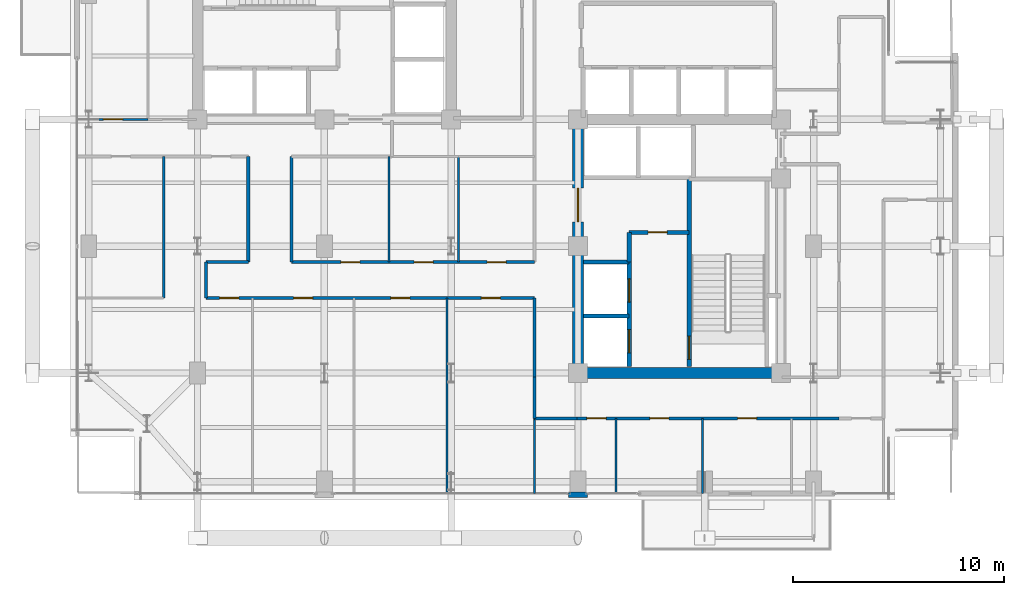
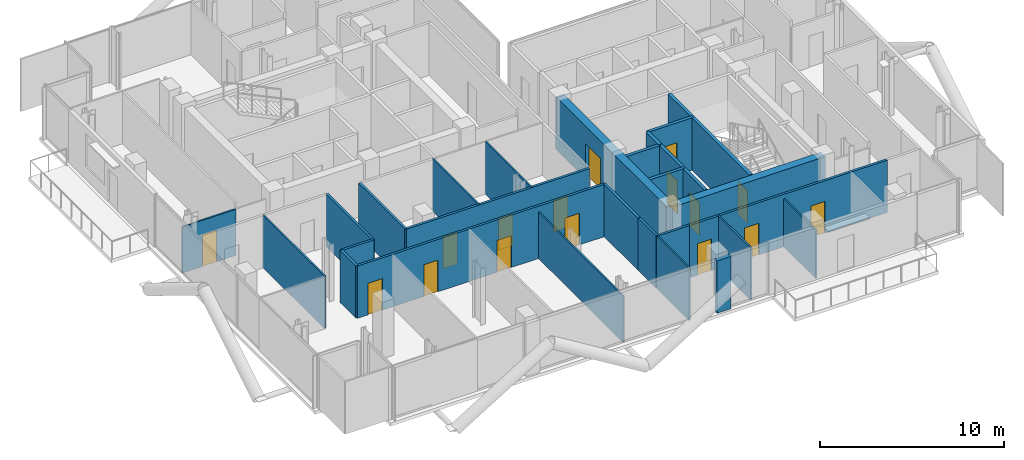
# One storey, part 20 of 26: 27 walls, 16 doors, 16 openings.
"""IFC4 building model written with IfcOpenShell, lengths in metres."""

import ifcopenshell
import ifcopenshell.guid

model = None  # the IFC model being written
_history = None  # IfcOwnerHistory: only IFC2X3 demands one
_inside = {}  # id of a spatial element -> (the spatial element, [elements in it])
_under = {}  # id of a project, library or spatial element -> (it, [spatial elements below it])
_declared = {}  # id of a project -> (the project, [libraries it declares])
_typed = {}  # id of a type object -> (the type object, [elements of that type])
_made_of = {}  # id of a material, layer set ... -> (it, [elements and type objects made of it])


def new_model(schema):
    """Start an empty IFC model of exactly this schema.

    Asked for "IFC4X3", IfcOpenShell would pick the latest addendum, in which some entities
    have other attributes; the version numbers below select the first issue.
    IFC2X3 requires an IfcOwnerHistory on every rooted entity: one is made here for all.
    """
    global model, _history
    if schema == "IFC4X3":
        model = ifcopenshell.file(schema_version=(4, 3, 0, 0))
    else:
        model = ifcopenshell.file(schema=schema)
    _inside.clear()
    _under.clear()
    _declared.clear()
    _typed.clear()
    _made_of.clear()
    _history = None
    if model.schema == "IFC2X3":
        org = make("IfcOrganization", Name="unknown")
        user = make(
            "IfcPersonAndOrganization",
            ThePerson=make("IfcPerson", FamilyName="unknown"),
            TheOrganization=org,
        )
        app = make(
            "IfcApplication",
            ApplicationDeveloper=org,
            Version="unknown",
            ApplicationFullName="unknown",
            ApplicationIdentifier="unknown",
        )
        _history = make(
            "IfcOwnerHistory",
            OwningUser=user,
            OwningApplication=app,
            ChangeAction="ADDED",
            CreationDate=0,
        )
    return model


def make(cls, **values):
    """One entity of the class cls with the attributes given. An attribute that is None is left unset."""
    return model.create_entity(
        cls, **{name: value for name, value in values.items() if value is not None}
    )


def rooted(cls, **values):
    """An entity with a GlobalId (a new one), such as an element, a storey or a relation."""
    return make(cls, GlobalId=ifcopenshell.guid.new(), OwnerHistory=_history, **values)


def si_unit(unit_type, name, prefix=None):
    """IfcSIUnit, for example si_unit("LENGTHUNIT", "METRE", prefix="MILLI")."""
    return make("IfcSIUnit", UnitType=unit_type, Prefix=prefix, Name=name)


def assignment(units):
    """IfcUnitAssignment: the units of a project."""
    return None if units is None else make("IfcUnitAssignment", Units=units)


def point(xyz):
    """IfcCartesianPoint."""
    return None if xyz is None else make("IfcCartesianPoint", Coordinates=xyz)


def direction(xyz):
    """IfcDirection."""
    return None if xyz is None else make("IfcDirection", DirectionRatios=xyz)


def frame(location, z_axis=None, x_axis=None):
    """IfcAxis2Placement3D, a coordinate frame: its origin and axes. An axis left out is left unset."""
    return make(
        "IfcAxis2Placement3D",
        Location=point(location),
        Axis=direction(z_axis),
        RefDirection=direction(x_axis),
    )


def frame_2d(location, x_axis=None):
    """IfcAxis2Placement2D, a coordinate frame in the plane: its origin and x axis."""
    return make(
        "IfcAxis2Placement2D", Location=point(location), RefDirection=direction(x_axis)
    )


def origin():
    """The frame at (0, 0, 0) with its axes left unset."""
    return frame((0.0, 0.0, 0.0))


def place(relative_to, where):
    """IfcLocalPlacement: puts the frame where relative to a parent placement (None: the world)."""
    return make(
        "IfcLocalPlacement", PlacementRelTo=relative_to, RelativePlacement=where
    )


def context(
    kind, dimensions, precision=None, world=None, true_north=None, identifier=None
):
    """IfcGeometricRepresentationContext, for example the 3D "Model" context."""
    return make(
        "IfcGeometricRepresentationContext",
        ContextIdentifier=identifier,
        ContextType=kind,
        CoordinateSpaceDimension=dimensions,
        Precision=precision,
        WorldCoordinateSystem=world,
        TrueNorth=true_north,
    )


def subcontext(parent, identifier, kind, view, scale=None):
    """IfcGeometricRepresentationSubContext, for example "Body" below "Model"."""
    return make(
        "IfcGeometricRepresentationSubContext",
        ContextIdentifier=identifier,
        ContextType=kind,
        ParentContext=parent,
        TargetScale=scale,
        TargetView=view,
    )


def project(units=None, contexts=None):
    """IfcProject with its units and contexts."""
    return rooted(
        "IfcProject",
        Name="project",
        RepresentationContexts=contexts,
        UnitsInContext=assignment(units),
    )


def spatial(cls, under=None, at=None, **own):
    """A site, building, storey or space (cls), placed at a placement, below another one or the project."""
    s = rooted(cls, ObjectPlacement=at, **own)
    if under is not None:
        _under.setdefault(under.id(), (under, []))[1].append(s)
    return s


def profile(cls, at=None, kind="AREA", **sizes):
    """A parametric profile (cls). Its sizes go by their IFC names, for example OverallWidth=200.0."""
    return make(cls, ProfileType=kind, Position=at, **sizes)


def rectangle(**sizes):
    """IfcRectangleProfileDef."""
    return profile("IfcRectangleProfileDef", **sizes)


def extrude(swept, where, along, depth):
    """IfcExtrudedAreaSolid: the profile swept, set in the frame where, extruded along a direction by depth."""
    return make(
        "IfcExtrudedAreaSolid",
        SweptArea=swept,
        Position=where,
        ExtrudedDirection=direction(along),
        Depth=depth,
    )


def shape(context_of_items, identifier, shape_type, items):
    """IfcShapeRepresentation: the items that make up one representation, for example the "Body"."""
    return make(
        "IfcShapeRepresentation",
        ContextOfItems=context_of_items,
        RepresentationIdentifier=identifier,
        RepresentationType=shape_type,
        Items=items,
    )


def material(Name=None, Category=None):
    """IfcMaterial."""
    return make("IfcMaterial", Name=Name, Category=Category)


def layer(
    of_material, thickness, ventilated=None, Name=None, Category=None, Priority=None
):
    """IfcMaterialLayer: one layer of a wall or slab, of a material (None: an air gap)."""
    return make(
        "IfcMaterialLayer",
        Material=of_material,
        LayerThickness=thickness,
        IsVentilated=ventilated,
        Name=Name,
        Category=Category,
        Priority=Priority,
    )


def layer_set(layers, Name=None):
    """IfcMaterialLayerSet."""
    return make("IfcMaterialLayerSet", MaterialLayers=layers, LayerSetName=Name)


def made_of(thing, what):
    """Note that an element or type object is made of a material, layer set ...; save() writes the relation."""
    if what is not None:
        _made_of.setdefault(what.id(), (what, []))[1].append(thing)
    return thing


def type_object(cls, material=None, **own):
    """A type object (cls), such as IfcWallType, which elements share."""
    return made_of(rooted(cls, **own), material)


def element(
    cls,
    number,
    at=None,
    inside=None,
    cuts=None,
    type_object=None,
    material=None,
    context=None,
    identifier="Body",
    shape_type=None,
    held_by="IfcProductDefinitionShape",
    body=None,
    shapes=None,
    **own,
):
    """One element of the class cls, such as IfcWall. Its Tag is "e" and its number.

    at: its placement. inside: the storey or other place that contains it. cuts: it is an
    opening in that element (IfcRelVoidsElement). A single representation is given by context,
    identifier, shape_type and body (its items); several are given by shapes. held_by: the class
    of the entity that holds the representations. save() writes the other relations.
    """
    e = rooted(cls, Tag="e%d" % number, ObjectPlacement=at, **own)
    if body is not None:
        shapes = [shape(context, identifier, shape_type, body)]
    if shapes is not None:
        e.Representation = make(held_by, Representations=shapes)
    if inside is not None:
        _inside.setdefault(inside.id(), (inside, []))[1].append(e)
    if cuts is not None:
        rooted(
            "IfcRelVoidsElement", RelatingBuildingElement=cuts, RelatedOpeningElement=e
        )
    if type_object is not None:
        _typed.setdefault(type_object.id(), (type_object, []))[1].append(e)
    return made_of(e, material)


def fill(opening, filler):
    """IfcRelFillsElement: the door or window that sits in an opening."""
    return rooted(
        "IfcRelFillsElement",
        RelatingOpeningElement=opening,
        RelatedBuildingElement=filler,
    )


def aggregate(whole, parts):
    """IfcRelAggregates: a whole, such as a stair, and the parts it consists of."""
    return rooted("IfcRelAggregates", RelatingObject=whole, RelatedObjects=parts)


def save(model, path):
    """Write the relations noted so far, then the file.

    IfcRelAggregates (storeys below a building ...), IfcRelContainedInSpatialStructure (elements
    in a storey), IfcRelDefinesByType, IfcRelAssociatesMaterial and IfcRelDeclares: one each for
    every whole, place, type object, material and project.
    """
    for whole, parts in _under.values():
        aggregate(whole, parts)
    for where, things in _inside.values():
        rooted(
            "IfcRelContainedInSpatialStructure",
            RelatedElements=things,
            RelatingStructure=where,
        )
    for kind, things in _typed.values():
        rooted("IfcRelDefinesByType", RelatedObjects=things, RelatingType=kind)
    for what, things in _made_of.values():
        rooted("IfcRelAssociatesMaterial", RelatedObjects=things, RelatingMaterial=what)
    for by, libraries in _declared.values():
        rooted("IfcRelDeclares", RelatingContext=by, RelatedDefinitions=libraries)
    model.write(path)


model = new_model("IFC4")

# Units and contexts
model_context = context("Model", 3, precision=1e-05, world=origin(), true_north=direction((0.0, 1.0)))
body_context = subcontext(model_context, "Body", "Model", "MODEL_VIEW")
ifc_project = project(units=[si_unit("LENGTHUNIT", "METRE"), si_unit("AREAUNIT", "SQUARE_METRE"), si_unit("VOLUMEUNIT", "CUBIC_METRE"), si_unit("PLANEANGLEUNIT", "RADIAN"), si_unit("MASSUNIT", "GRAM", prefix="KILO"), si_unit("THERMODYNAMICTEMPERATUREUNIT", "KELVIN"), si_unit("POWERUNIT", "WATT")], contexts=[model_context])

# Site, building, storey
site_placement = place(None, origin())
site = spatial("IfcSite", under=ifc_project, at=site_placement, CompositionType="ELEMENT")
building_placement = place(site_placement, origin())
building = spatial("IfcBuilding", under=site, at=building_placement, Name="Svarakhadi Broadcast Tower", CompositionType="ELEMENT")
storey_placement = place(building_placement, frame((0.0, 0.0, 195.449951171875)))
storey = spatial("IfcBuildingStorey", under=building, at=storey_placement, Name="L48", CompositionType="ELEMENT", Elevation=195.449951171875)

# Walls
ifc_material_1 = material(Name="Concrete C40/50 (IS 456 M50)", Category="concrete")
ifc_layer_1 = layer(ifc_material_1, 0.239990234375)
ifc_layer_set_1 = layer_set([ifc_layer_1], Name="Concrete C40/50 (IS 456 M50)")
wall_type_1 = type_object("IfcWallType", Name="Wall_Ext_240", PredefinedType="SOLIDWALL", material=ifc_layer_set_1)
wall_1_placement = place(storey_placement, frame((24.43994140625, 0.239990234375, 0.0), z_axis=(0.0, 0.0, 1.0), x_axis=(-1.0, 0.0, 0.0)))
element("IfcWall", 1, at=wall_1_placement, inside=storey, type_object=wall_type_1, Name="L48 Perimeter Bronze Spandrel Closure Wall 03", PredefinedType="SOLIDWALL", context=body_context, shape_type="SweptSolid", body=[
    extrude(rectangle(XDim=0.8798828125, YDim=0.239990234375, at=frame_2d((0.43994140625, 0.0))), origin(), (0.0, 0.0, 1.0), 3.47509765625),
])
ifc_material_2 = material(Name="Fire-Rated Moisture-Resistant Gypsum Board Partition", Category="gypsum")
ifc_layer_2 = layer(ifc_material_2, 0.10009765625)
ifc_layer_set_2 = layer_set([ifc_layer_2], Name="Fire-Rated Moisture-Resistant Gypsum Board Partition")
wall_type_2 = type_object("IfcWallType", Name="Wall_Part_100", PredefinedType="PARTITIONING", material=ifc_layer_set_2)
for number, where, z_axis, x_axis, name in (
    (2, (15.050048828125, 11.25, 0.0), (0.0, 0.0, 1.0), (0.0, 1.0, 0.0), "L48 Executive Huddle Room Wall"),
    (3, (18.35009765625, 11.25, 0.0), (0.0, 0.0, 1.0), (0.0, 1.0, 0.0), "L48 Editorial Review Booth Wall"),
):
    element("IfcWall", number, at=place(storey_placement, frame(where, z_axis=z_axis, x_axis=x_axis)), inside=storey, type_object=wall_type_2, Name=name, PredefinedType="PARTITIONING", context=body_context, shape_type="SweptSolid", body=[
        extrude(rectangle(XDim=5.0, YDim=0.10009765625, at=frame_2d((2.5, 0.0))), origin(), (0.0, 0.0, 1.0), 3.47509765625),
    ])

# Wall, opening, door
wall_2_placement = place(storey_placement, frame((0.300048828125, 18.0, 0.0), z_axis=(0.0, 0.0, 1.0), x_axis=(1.0, 0.0, 0.0)))
wall_2 = element("IfcWall", 4, at=wall_2_placement, inside=storey, type_object=wall_type_2, Name="L48 Wellness Relaxation Alcove Wall", PredefinedType="PARTITIONING", context=body_context, shape_type="SweptSolid", body=[
    extrude(rectangle(XDim=3.349853515625, YDim=0.10009765625, at=frame_2d((1.6748046875, 0.0))), origin(), (0.0, 0.0, 1.0), 3.067138671875),
])
opening_1_placement = place(wall_2_placement, frame((1.25, 0.0, 0.0)))
opening_1 = element("IfcOpeningElement", 5, at=opening_1_placement, cuts=wall_2, Name="Opening D-15", PredefinedType="OPENING", context=body_context, shape_type="SweptSolid", body=[
    extrude(rectangle(XDim=0.89990234375, YDim=2.10009765625, at=frame_2d((0.449951171875, 1.050048828125))), frame((0.0, 0.06005859375, 0.0), z_axis=(0.0, -1.0, 0.0), x_axis=(1.0, 0.0, 0.0)), (0.0, 0.0, 1.0), 0.1201171875),
])
ifc_material_3 = material(Name="Solid-Core Teak Veneer Acoustic Timber Leaf", Category="wood")
door_type_1 = type_object("IfcDoorType", Name="Door_Int_D15", OperationType="SINGLE_SWING_RIGHT", PredefinedType="DOOR", material=ifc_material_3)
door_1_placement = place(opening_1_placement, origin())
door_1 = element("IfcDoor", 6, at=door_1_placement, inside=storey, type_object=door_type_1, Name="L48 Wellness Relaxation Alcove Door", OperationType="SINGLE_SWING_RIGHT", OverallHeight=2.10009765625, OverallWidth=0.89990234375, PredefinedType="DOOR", context=body_context, shape_type="SweptSolid", body=[
    extrude(rectangle(XDim=0.89990234375, YDim=2.10009765625, at=frame_2d((0.449951171875, 1.050048828125))), frame((0.0, 0.02490234375, 0.0), z_axis=(0.0, -1.0, 0.0), x_axis=(1.0, 0.0, 0.0)), (0.0, 0.0, 1.0), 0.050048828125),
])
fill(opening_1, door_1)

# Walls
for number, where, z_axis, x_axis, name in (
    (7, (21.949951171875, 0.300048828125, 0.0), (0.0, 0.0, 1.0), (0.0, 1.0, 0.0), "L48 Hotel Business Centre Office Wall"),
    (8, (25.800048828125, 0.300048828125, 0.0), (0.0, 0.0, 1.0), (0.0, 1.0, 0.0), "L48 Hotel Business Centre Office Wall"),
):
    element("IfcWall", number, at=place(storey_placement, frame(where, z_axis=z_axis, x_axis=x_axis)), inside=storey, type_object=wall_type_2, Name=name, PredefinedType="PARTITIONING", context=body_context, shape_type="SweptSolid", body=[
        extrude(rectangle(XDim=3.550048828125, YDim=0.10009765625, at=frame_2d((1.77490234375, 0.0))), origin(), (0.0, 0.0, 1.0), 3.47509765625),
    ])
wall_3_placement = place(storey_placement, frame((29.89990234375, 0.300048828125, 0.0), z_axis=(0.0, 0.0, 1.0), x_axis=(0.0, 1.0, 0.0)))
element("IfcWall", 9, at=wall_3_placement, inside=storey, type_object=wall_type_2, Name="L48 Private Dining Salon Wall", PredefinedType="PARTITIONING", context=body_context, shape_type="SweptSolid", body=[
    extrude(rectangle(XDim=3.550048828125, YDim=0.10009765625, at=frame_2d((1.77490234375, 0.0))), origin(), (0.0, 0.0, 1.0), 3.1669921875),
])
wall_4_placement = place(storey_placement, frame((17.800048828125, 0.300048828125, 0.0), z_axis=(0.0, 0.0, 1.0), x_axis=(0.0, 1.0, 0.0)))
element("IfcWall", 10, at=wall_4_placement, inside=storey, type_object=wall_type_2, Name="L48 Altitude Cardio Training Studio Wall", PredefinedType="PARTITIONING", context=body_context, shape_type="SweptSolid", body=[
    extrude(rectangle(XDim=9.25, YDim=0.10009765625, at=frame_2d((4.625, 0.0))), origin(), (0.0, 0.0, 1.0), 3.067138671875),
])
wall_5_placement = place(storey_placement, frame((4.39990234375, 9.550048828125, 0.0), z_axis=(0.0, 0.0, 1.0), x_axis=(0.0, 1.0, 0.0)))
element("IfcWall", 11, at=wall_5_placement, inside=storey, type_object=wall_type_2, Name="L48 Aromatherapy Treatment Room Wall", PredefinedType="PARTITIONING", context=body_context, shape_type="SweptSolid", body=[
    extrude(rectangle(XDim=6.699951171875, YDim=0.10009765625, at=frame_2d((3.35009765625, 0.0))), origin(), (0.0, 0.0, 1.0), 3.47509765625),
])

# Wall, openings, doors
ifc_material_4 = material(Name="Autoclaved Aerated Concrete Blockwork 150 mm", Category="masonry")
ifc_layer_3 = layer(ifc_material_4, 0.14990234375)
ifc_layer_set_3 = layer_set([ifc_layer_3], Name="Autoclaved Aerated Concrete Blockwork 150 mm")
wall_type_3 = type_object("IfcWallType", Name="Wall_Part_150", PredefinedType="PARTITIONING", material=ifc_layer_set_3)
wall_6_placement = place(storey_placement, frame((36.35009765625, 3.85009765625, 0.0), z_axis=(0.0, 0.0, 1.0), x_axis=(-1.0, 0.0, 0.0)))
wall_6 = element("IfcWall", 12, at=wall_6_placement, inside=storey, type_object=wall_type_3, Name="L48 Zone 2/3 Corridor Wall", PredefinedType="PARTITIONING", context=body_context, shape_type="SweptSolid", body=[
    extrude(rectangle(XDim=12.400146484375, YDim=0.14990234375, at=frame_2d((6.2001953125, 0.0))), origin(), (0.0, 0.0, 1.0), 3.47509765625),
])
opening_2_placement = place(wall_6_placement, frame((11.02490234375, 0.0, 0.0)))
opening_2 = element("IfcOpeningElement", 13, at=opening_2_placement, cuts=wall_6, Name="Opening D-14", PredefinedType="OPENING", context=body_context, shape_type="SweptSolid", body=[
    extrude(rectangle(XDim=0.89990234375, YDim=2.10009765625, at=frame_2d((0.449951171875, 1.050048828125))), frame((0.0, 0.0849609375, 0.0), z_axis=(0.0, -1.0, 0.0), x_axis=(1.0, 0.0, 0.0)), (0.0, 0.0, 1.0), 0.169921875),
])
opening_3_placement = place(wall_6_placement, frame((8.050048828125, 0.0, 0.0)))
opening_3 = element("IfcOpeningElement", 14, at=opening_3_placement, cuts=wall_6, Name="Opening D-15", PredefinedType="OPENING", context=body_context, shape_type="SweptSolid", body=[
    extrude(rectangle(XDim=0.89990234375, YDim=2.10009765625, at=frame_2d((0.449951171875, 1.050048828125))), frame((0.0, 0.0849609375, 0.0), z_axis=(0.0, -1.0, 0.0), x_axis=(1.0, 0.0, 0.0)), (0.0, 0.0, 1.0), 0.169921875),
])
opening_4_placement = place(wall_6_placement, frame((3.89990234375, 0.0, 0.0)))
opening_4 = element("IfcOpeningElement", 15, at=opening_4_placement, cuts=wall_6, Name="Opening D-14", PredefinedType="OPENING", context=body_context, shape_type="SweptSolid", body=[
    extrude(rectangle(XDim=0.89990234375, YDim=2.10009765625, at=frame_2d((0.449951171875, 1.050048828125))), frame((0.0, 0.0849609375, 0.0), z_axis=(0.0, -1.0, 0.0), x_axis=(1.0, 0.0, 0.0)), (0.0, 0.0, 1.0), 0.169921875),
])
door_type_2 = type_object("IfcDoorType", Name="Door_Int_D14", OperationType="SINGLE_SWING_LEFT", PredefinedType="DOOR", material=ifc_material_3)
door_2_placement = place(opening_2_placement, origin())
door_2 = element("IfcDoor", 16, at=door_2_placement, inside=storey, type_object=door_type_2, Name="L48 Hotel Business Centre Office Door", OperationType="SINGLE_SWING_LEFT", OverallHeight=2.10009765625, OverallWidth=0.89990234375, PredefinedType="DOOR", context=body_context, shape_type="SweptSolid", body=[
    extrude(rectangle(XDim=0.89990234375, YDim=2.10009765625, at=frame_2d((0.449951171875, 1.050048828125))), frame((0.0, 0.02490234375, 0.0), z_axis=(0.0, -1.0, 0.0), x_axis=(1.0, 0.0, 0.0)), (0.0, 0.0, 1.0), 0.050048828125),
])
fill(opening_2, door_2)
door_3_placement = place(opening_4_placement, origin())
door_3 = element("IfcDoor", 17, at=door_3_placement, inside=storey, type_object=door_type_2, Name="L48 Artisanal Espresso Bar Door", OperationType="SINGLE_SWING_LEFT", OverallHeight=2.10009765625, OverallWidth=0.89990234375, PredefinedType="DOOR", context=body_context, shape_type="SweptSolid", body=[
    extrude(rectangle(XDim=0.89990234375, YDim=2.10009765625, at=frame_2d((0.449951171875, 1.050048828125))), frame((0.0, 0.02490234375, 0.0), z_axis=(0.0, -1.0, 0.0), x_axis=(1.0, 0.0, 0.0)), (0.0, 0.0, 1.0), 0.050048828125),
])
fill(opening_4, door_3)
door_4_placement = place(opening_3_placement, origin())
door_4 = element("IfcDoor", 18, at=door_4_placement, inside=storey, type_object=door_type_1, Name="L48 Private Dining Salon Door", OperationType="SINGLE_SWING_RIGHT", OverallHeight=2.10009765625, OverallWidth=0.89990234375, PredefinedType="DOOR", context=body_context, shape_type="SweptSolid", body=[
    extrude(rectangle(XDim=0.89990234375, YDim=2.10009765625, at=frame_2d((0.449951171875, 1.050048828125))), frame((0.0, 0.02490234375, 0.0), z_axis=(0.0, -1.0, 0.0), x_axis=(1.0, 0.0, 0.0)), (0.0, 0.0, 1.0), 0.050048828125),
])
fill(opening_3, door_4)

# Walls
wall_7_placement = place(storey_placement, frame((23.949951171875, 3.85009765625, 0.0), z_axis=(0.0, 0.0, 1.0), x_axis=(-1.0, 0.0, 0.0)))
element("IfcWall", 19, at=wall_7_placement, inside=storey, type_object=wall_type_3, Name="L48 Zone 2/3 Corridor Wall", PredefinedType="PARTITIONING", context=body_context, shape_type="SweptSolid", body=[
    extrude(rectangle(XDim=2.0, YDim=0.14990234375, at=frame_2d((1.0, 0.0))), origin(), (0.0, 0.0, 1.0), 3.47509765625),
])
wall_8_placement = place(storey_placement, frame((21.949951171875, 3.85009765625, 0.0), z_axis=(0.0, 0.0, 1.0), x_axis=(0.0, 1.0, 0.0)))
element("IfcWall", 20, at=wall_8_placement, inside=storey, type_object=wall_type_3, Name="L48 Zone 2/3 Corridor Wall", PredefinedType="PARTITIONING", context=body_context, shape_type="SweptSolid", body=[
    extrude(rectangle(XDim=1.949951171875, YDim=0.14990234375, at=frame_2d((0.97509765625, 0.0))), origin(), (0.0, 0.0, 1.0), 3.47509765625),
])
wall_9_placement = place(storey_placement, frame((21.949951171875, 5.800048828125, 0.0), z_axis=(0.0, 0.0, 1.0), x_axis=(0.0, 1.0, 0.0)))
element("IfcWall", 21, at=wall_9_placement, inside=storey, type_object=wall_type_3, Name="L48 Zone 2/3 Corridor Wall", PredefinedType="PARTITIONING", context=body_context, shape_type="SweptSolid", body=[
    extrude(rectangle(XDim=3.75, YDim=0.14990234375, at=frame_2d((1.875, 0.0))), origin(), (0.0, 0.0, 1.0), 3.47509765625),
])

# Wall, openings, doors
wall_10_placement = place(storey_placement, frame((21.949951171875, 9.550048828125, 0.0), z_axis=(0.0, 0.0, 1.0), x_axis=(-1.0, 0.0, 0.0)))
wall_10 = element("IfcWall", 22, at=wall_10_placement, inside=storey, type_object=wall_type_3, Name="L48 Zone 2/3 Corridor Wall", PredefinedType="PARTITIONING", context=body_context, shape_type="SweptSolid", body=[
    extrude(rectangle(XDim=15.550048828125, YDim=0.14990234375, at=frame_2d((7.77490234375, 0.0))), origin(), (0.0, 0.0, 1.0), 3.47509765625),
])
opening_5_placement = place(wall_10_placement, frame((14.0, 0.0, 0.0)))
opening_5 = element("IfcOpeningElement", 23, at=opening_5_placement, cuts=wall_10, Name="Opening D-15", PredefinedType="OPENING", context=body_context, shape_type="SweptSolid", body=[
    extrude(rectangle(XDim=0.89990234375, YDim=2.10009765625, at=frame_2d((0.449951171875, 1.050048828125))), frame((0.0, 0.0849609375, 0.0), z_axis=(0.0, -1.0, 0.0), x_axis=(1.0, 0.0, 0.0)), (0.0, 0.0, 1.0), 0.169921875),
])
opening_6_placement = place(wall_10_placement, frame((10.5, 0.0, 0.0)))
opening_6 = element("IfcOpeningElement", 24, at=opening_6_placement, cuts=wall_10, Name="Opening D-14", PredefinedType="OPENING", context=body_context, shape_type="SweptSolid", body=[
    extrude(rectangle(XDim=0.89990234375, YDim=2.10009765625, at=frame_2d((0.449951171875, 1.050048828125))), frame((0.0, 0.0849609375, 0.0), z_axis=(0.0, -1.0, 0.0), x_axis=(1.0, 0.0, 0.0)), (0.0, 0.0, 1.0), 0.169921875),
])
opening_7_placement = place(wall_10_placement, frame((5.89990234375, 0.0, 0.0)))
opening_7 = element("IfcOpeningElement", 25, at=opening_7_placement, cuts=wall_10, Name="Opening D-15", PredefinedType="OPENING", context=body_context, shape_type="SweptSolid", body=[
    extrude(rectangle(XDim=0.89990234375, YDim=2.10009765625, at=frame_2d((0.449951171875, 1.050048828125))), frame((0.0, 0.0849609375, 0.0), z_axis=(0.0, -1.0, 0.0), x_axis=(1.0, 0.0, 0.0)), (0.0, 0.0, 1.0), 0.169921875),
])
opening_8_placement = place(wall_10_placement, frame((1.625, 0.0, 0.0)))
opening_8 = element("IfcOpeningElement", 26, at=opening_8_placement, cuts=wall_10, Name="Opening D-14", PredefinedType="OPENING", context=body_context, shape_type="SweptSolid", body=[
    extrude(rectangle(XDim=0.89990234375, YDim=2.10009765625, at=frame_2d((0.449951171875, 1.050048828125))), frame((0.0, 0.0849609375, 0.0), z_axis=(0.0, -1.0, 0.0), x_axis=(1.0, 0.0, 0.0)), (0.0, 0.0, 1.0), 0.169921875),
])
door_5_placement = place(opening_6_placement, origin())
door_5 = element("IfcDoor", 27, at=door_5_placement, inside=storey, type_object=door_type_2, Name="L48 Thermal Thalassotherapy Salon Door", OperationType="SINGLE_SWING_LEFT", OverallHeight=2.10009765625, OverallWidth=0.89990234375, PredefinedType="DOOR", context=body_context, shape_type="SweptSolid", body=[
    extrude(rectangle(XDim=0.89990234375, YDim=2.10009765625, at=frame_2d((0.449951171875, 1.050048828125))), frame((0.0, 0.02490234375, 0.0), z_axis=(0.0, -1.0, 0.0), x_axis=(1.0, 0.0, 0.0)), (0.0, 0.0, 1.0), 0.050048828125),
])
fill(opening_6, door_5)
door_6_placement = place(opening_8_placement, origin())
door_6 = element("IfcDoor", 28, at=door_6_placement, inside=storey, type_object=door_type_2, Name="L48 Wellness Director Consultation Office Door", OperationType="SINGLE_SWING_LEFT", OverallHeight=2.10009765625, OverallWidth=0.89990234375, PredefinedType="DOOR", context=body_context, shape_type="SweptSolid", body=[
    extrude(rectangle(XDim=0.89990234375, YDim=2.10009765625, at=frame_2d((0.449951171875, 1.050048828125))), frame((0.0, 0.02490234375, 0.0), z_axis=(0.0, -1.0, 0.0), x_axis=(1.0, 0.0, 0.0)), (0.0, 0.0, 1.0), 0.050048828125),
])
fill(opening_8, door_6)
door_7_placement = place(opening_5_placement, origin())
door_7 = element("IfcDoor", 29, at=door_7_placement, inside=storey, type_object=door_type_1, Name="L48 Ayurvedic Hydrotherapy Vitality Suite Door", OperationType="SINGLE_SWING_RIGHT", OverallHeight=2.10009765625, OverallWidth=0.89990234375, PredefinedType="DOOR", context=body_context, shape_type="SweptSolid", body=[
    extrude(rectangle(XDim=0.89990234375, YDim=2.10009765625, at=frame_2d((0.449951171875, 1.050048828125))), frame((0.0, 0.02490234375, 0.0), z_axis=(0.0, -1.0, 0.0), x_axis=(1.0, 0.0, 0.0)), (0.0, 0.0, 1.0), 0.050048828125),
])
fill(opening_5, door_7)
door_8_placement = place(opening_7_placement, origin())
door_8 = element("IfcDoor", 30, at=door_8_placement, inside=storey, type_object=door_type_1, Name="L48 Altitude Cardio Training Studio Door", OperationType="SINGLE_SWING_RIGHT", OverallHeight=2.10009765625, OverallWidth=0.89990234375, PredefinedType="DOOR", context=body_context, shape_type="SweptSolid", body=[
    extrude(rectangle(XDim=0.89990234375, YDim=2.10009765625, at=frame_2d((0.449951171875, 1.050048828125))), frame((0.0, 0.02490234375, 0.0), z_axis=(0.0, -1.0, 0.0), x_axis=(1.0, 0.0, 0.0)), (0.0, 0.0, 1.0), 0.050048828125),
])
fill(opening_7, door_8)

# Walls
wall_11_placement = place(storey_placement, frame((6.39990234375, 9.550048828125, 0.0), z_axis=(0.0, 0.0, 1.0), x_axis=(0.0, 1.0, 0.0)))
element("IfcWall", 31, at=wall_11_placement, inside=storey, type_object=wall_type_3, Name="L48 Zone 2/3 Corridor Wall", PredefinedType="PARTITIONING", context=body_context, shape_type="SweptSolid", body=[
    extrude(rectangle(XDim=1.699951171875, YDim=0.14990234375, at=frame_2d((0.85009765625, 0.0))), origin(), (0.0, 0.0, 1.0), 3.47509765625),
])
wall_12_placement = place(storey_placement, frame((6.39990234375, 11.25, 0.0), z_axis=(0.0, 0.0, 1.0), x_axis=(1.0, 0.0, 0.0)))
element("IfcWall", 32, at=wall_12_placement, inside=storey, type_object=wall_type_3, Name="L48 Zone 2/3 Corridor Wall", PredefinedType="PARTITIONING", context=body_context, shape_type="SweptSolid", body=[
    extrude(rectangle(XDim=2.0, YDim=0.14990234375, at=frame_2d((1.0, 0.0))), origin(), (0.0, 0.0, 1.0), 3.47509765625),
])
for number, where, z_axis, x_axis, name in (
    (33, (8.39990234375, 11.25, 0.0), (0.0, 0.0, 1.0), (0.0, 1.0, 0.0), "L48 Zone 2/3 Corridor Wall"),
    (34, (10.449951171875, 16.25, 0.0), (0.0, 0.0, 1.0), (0.0, -1.0, 0.0), "L48 Zone 2/3 Corridor Wall"),
):
    element("IfcWall", number, at=place(storey_placement, frame(where, z_axis=z_axis, x_axis=x_axis)), inside=storey, type_object=wall_type_3, Name=name, PredefinedType="PARTITIONING", context=body_context, shape_type="SweptSolid", body=[
        extrude(rectangle(XDim=5.0, YDim=0.14990234375, at=frame_2d((2.5, 0.0))), origin(), (0.0, 0.0, 1.0), 3.47509765625),
    ])

# Wall, openings, doors
wall_13_placement = place(storey_placement, frame((10.449951171875, 11.25, 0.0), z_axis=(0.0, 0.0, 1.0), x_axis=(1.0, 0.0, 0.0)))
wall_13 = element("IfcWall", 35, at=wall_13_placement, inside=storey, type_object=wall_type_3, Name="L48 Zone 2/3 Corridor Wall", PredefinedType="PARTITIONING", context=body_context, shape_type="SweptSolid", body=[
    extrude(rectangle(XDim=11.5, YDim=0.14990234375, at=frame_2d((5.75, 0.0))), origin(), (0.0, 0.0, 1.0), 3.47509765625),
])
opening_9_placement = place(wall_13_placement, frame((2.330078125, 0.0, 0.0)))
opening_9 = element("IfcOpeningElement", 36, at=opening_9_placement, cuts=wall_13, Name="Opening D-15", PredefinedType="OPENING", context=body_context, shape_type="SweptSolid", body=[
    extrude(rectangle(XDim=0.89990234375, YDim=2.10009765625, at=frame_2d((0.449951171875, 1.050048828125))), frame((0.0, 0.0849609375, 0.0), z_axis=(0.0, -1.0, 0.0), x_axis=(1.0, 0.0, 0.0)), (0.0, 0.0, 1.0), 0.169921875),
])
opening_10_placement = place(wall_13_placement, frame((5.800048828125, 0.0, 0.0)))
opening_10 = element("IfcOpeningElement", 37, at=opening_10_placement, cuts=wall_13, Name="Opening D-12", PredefinedType="OPENING", context=body_context, shape_type="SweptSolid", body=[
    extrude(rectangle(XDim=0.89990234375, YDim=2.10009765625, at=frame_2d((0.449951171875, 1.050048828125))), frame((0.0, 0.0849609375, 0.0), z_axis=(0.0, -1.0, 0.0), x_axis=(1.0, 0.0, 0.0)), (0.0, 0.0, 1.0), 0.169921875),
])
opening_11_placement = place(wall_13_placement, frame((9.25, 0.0, 0.0)))
opening_11 = element("IfcOpeningElement", 38, at=opening_11_placement, cuts=wall_13, Name="Opening D-13", PredefinedType="OPENING", context=body_context, shape_type="SweptSolid", body=[
    extrude(rectangle(XDim=0.89990234375, YDim=2.10009765625, at=frame_2d((0.449951171875, 1.050048828125))), frame((0.0, 0.0849609375, 0.0), z_axis=(0.0, -1.0, 0.0), x_axis=(1.0, 0.0, 0.0)), (0.0, 0.0, 1.0), 0.169921875),
])
door_type_3 = type_object("IfcDoorType", Name="Door_Closet_D13", OperationType="SINGLE_SWING_RIGHT", PredefinedType="DOOR", material=ifc_material_3)
door_9_placement = place(opening_11_placement, origin())
door_9 = element("IfcDoor", 39, at=door_9_placement, inside=storey, type_object=door_type_3, Name="L48 Accessible Floor Washroom WC Door", OperationType="SINGLE_SWING_RIGHT", OverallHeight=2.10009765625, OverallWidth=0.89990234375, PredefinedType="DOOR", context=body_context, shape_type="SweptSolid", body=[
    extrude(rectangle(XDim=0.89990234375, YDim=2.10009765625, at=frame_2d((0.449951171875, 1.050048828125))), frame((0.0, 0.02490234375, 0.0), z_axis=(0.0, -1.0, 0.0), x_axis=(1.0, 0.0, 0.0)), (0.0, 0.0, 1.0), 0.050048828125),
])
fill(opening_11, door_9)
door_10_placement = place(opening_9_placement, origin())
door_10 = element("IfcDoor", 40, at=door_10_placement, inside=storey, type_object=door_type_1, Name="L48 Executive Huddle Room Door", OperationType="SINGLE_SWING_RIGHT", OverallHeight=2.10009765625, OverallWidth=0.89990234375, PredefinedType="DOOR", context=body_context, shape_type="SweptSolid", body=[
    extrude(rectangle(XDim=0.89990234375, YDim=2.10009765625, at=frame_2d((0.449951171875, 1.050048828125))), frame((0.0, 0.02490234375, 0.0), z_axis=(0.0, -1.0, 0.0), x_axis=(1.0, 0.0, 0.0)), (0.0, 0.0, 1.0), 0.050048828125),
])
fill(opening_9, door_10)
door_type_4 = type_object("IfcDoorType", Name="Door_WC_D01", OperationType="SINGLE_SWING_LEFT", PredefinedType="DOOR", material=ifc_material_3)
door_11_placement = place(opening_10_placement, origin())
door_11 = element("IfcDoor", 41, at=door_11_placement, inside=storey, type_object=door_type_4, Name="L48 Editorial Review Booth Door", OperationType="SINGLE_SWING_LEFT", OverallHeight=2.10009765625, OverallWidth=0.89990234375, PredefinedType="DOOR", context=body_context, shape_type="SweptSolid", body=[
    extrude(rectangle(XDim=0.89990234375, YDim=2.10009765625, at=frame_2d((0.449951171875, 1.050048828125))), frame((0.0, 0.02490234375, 0.0), z_axis=(0.0, -1.0, 0.0), x_axis=(1.0, 0.0, 0.0)), (0.0, 0.0, 1.0), 0.050048828125),
])
fill(opening_10, door_11)

# Wall, opening, door
ifc_material_5 = material(Name="Concrete C50/60 (IS 456 M60)", Category="concrete")
ifc_layer_4 = layer(ifc_material_5, 0.199951171875)
ifc_layer_set_4 = layer_set([ifc_layer_4], Name="Concrete C50/60 (IS 456 M60)")
wall_type_4 = type_object("IfcWallType", Name="Wall_Shear_200", PredefinedType="SHEAR", material=ifc_layer_set_4)
wall_14_placement = place(storey_placement, frame((29.260009765625, 6.300048828125, 0.0), z_axis=(0.0, 0.0, 1.0), x_axis=(0.0, 1.0, 0.0)))
wall_14 = element("IfcWall", 42, at=wall_14_placement, inside=storey, type_object=wall_type_4, Name="L48 Stair ST-02 West RC Shaft Wall", PredefinedType="SHEAR", context=body_context, shape_type="SweptSolid", body=[
    extrude(rectangle(XDim=8.8798828125, YDim=0.199951171875, at=frame_2d((4.43994140625, 0.0))), origin(), (0.0, 0.0, 1.0), 3.47509765625),
])
opening_12_placement = place(wall_14_placement, frame((0.35009765625, 0.0, 0.0)))
opening_12 = element("IfcOpeningElement", 43, at=opening_12_placement, cuts=wall_14, Name="Opening D-02", PredefinedType="OPENING", context=body_context, shape_type="SweptSolid", body=[
    extrude(rectangle(XDim=1.10009765625, YDim=2.199951171875, at=frame_2d((0.550048828125, 1.10009765625))), frame((0.0, 0.10986328125, 0.0), z_axis=(0.0, -1.0, 0.0), x_axis=(1.0, 0.0, 0.0)), (0.0, 0.0, 1.0), 0.219970703125),
])
ifc_material_6 = material(Name="Galvanised Powder-Coated Fire-Rated Steel Leaf", Category="steel")
door_type_5 = type_object("IfcDoorType", Name="Door_Stair_D02", OperationType="SINGLE_SWING_RIGHT", PredefinedType="DOOR", material=ifc_material_6)
door_12_placement = place(opening_12_placement, origin())
door_12 = element("IfcDoor", 44, at=door_12_placement, inside=storey, type_object=door_type_5, Name="L48 Protected Exit Stair ST-02 Fire Door", OperationType="SINGLE_SWING_RIGHT", OverallHeight=2.199951171875, OverallWidth=1.10009765625, PredefinedType="DOOR", context=body_context, shape_type="SweptSolid", body=[
    extrude(rectangle(XDim=1.10009765625, YDim=2.199951171875, at=frame_2d((0.550048828125, 1.10009765625))), frame((0.0, 0.02490234375, 0.0), z_axis=(0.0, -1.0, 0.0), x_axis=(1.0, 0.0, 0.0)), (0.0, 0.0, 1.0), 0.050048828125),
])
fill(opening_12, door_12)

# Wall, openings, doors
wall_15_placement = place(storey_placement, frame((26.419921875, 6.300048828125, 0.0), z_axis=(0.0, 0.0, 1.0), x_axis=(0.0, 1.0, 0.0)))
wall_15 = element("IfcWall", 45, at=wall_15_placement, inside=storey, type_object=wall_type_4, Name="L48 Firefighting Lift LF-03/04 Shaft Wall", PredefinedType="SHEAR", context=body_context, shape_type="SweptSolid", body=[
    extrude(rectangle(XDim=4.949951171875, YDim=0.199951171875, at=frame_2d((2.47509765625, 0.0))), origin(), (0.0, 0.0, 1.0), 3.47509765625),
])
opening_13_placement = place(wall_15_placement, frame((0.64990234375, 0.0, 0.0)))
opening_13 = element("IfcOpeningElement", 46, at=opening_13_placement, cuts=wall_15, Name="Opening LD-01", PredefinedType="OPENING", context=body_context, shape_type="SweptSolid", body=[
    extrude(rectangle(XDim=1.10009765625, YDim=2.199951171875, at=frame_2d((0.550048828125, 1.10009765625))), frame((0.0, 0.10986328125, 0.0), z_axis=(0.0, -1.0, 0.0), x_axis=(1.0, 0.0, 0.0)), (0.0, 0.0, 1.0), 0.219970703125),
])
opening_14_placement = place(wall_15_placement, frame((3.050048828125, 0.0, 0.0)))
opening_14 = element("IfcOpeningElement", 47, at=opening_14_placement, cuts=wall_15, Name="Opening LD-01", PredefinedType="OPENING", context=body_context, shape_type="SweptSolid", body=[
    extrude(rectangle(XDim=1.10009765625, YDim=2.199951171875, at=frame_2d((0.550048828125, 1.10009765625))), frame((0.0, 0.10986328125, 0.0), z_axis=(0.0, -1.0, 0.0), x_axis=(1.0, 0.0, 0.0)), (0.0, 0.0, 1.0), 0.219970703125),
])
door_type_6 = type_object("IfcDoorType", Name="Door_Lift_LD01", OperationType="SLIDING_TO_LEFT", PredefinedType="DOOR", material=ifc_material_6)
door_13_placement = place(opening_13_placement, origin())
door_13 = element("IfcDoor", 48, at=door_13_placement, inside=storey, type_object=door_type_6, Name="L48 Firefighting Lift LF-03 Landing Door", OperationType="SLIDING_TO_LEFT", OverallHeight=2.199951171875, OverallWidth=1.10009765625, PredefinedType="DOOR", context=body_context, shape_type="SweptSolid", body=[
    extrude(rectangle(XDim=1.10009765625, YDim=2.199951171875, at=frame_2d((0.550048828125, 1.10009765625))), frame((0.0, 0.02490234375, 0.0), z_axis=(0.0, -1.0, 0.0), x_axis=(1.0, 0.0, 0.0)), (0.0, 0.0, 1.0), 0.050048828125),
])
fill(opening_13, door_13)
door_14_placement = place(opening_14_placement, origin())
door_14 = element("IfcDoor", 49, at=door_14_placement, inside=storey, type_object=door_type_6, Name="L48 Firefighting Lift LF-04 Landing Door", OperationType="SLIDING_TO_LEFT", OverallHeight=2.199951171875, OverallWidth=1.10009765625, PredefinedType="DOOR", context=body_context, shape_type="SweptSolid", body=[
    extrude(rectangle(XDim=1.10009765625, YDim=2.199951171875, at=frame_2d((0.550048828125, 1.10009765625))), frame((0.0, 0.02490234375, 0.0), z_axis=(0.0, -1.0, 0.0), x_axis=(1.0, 0.0, 0.0)), (0.0, 0.0, 1.0), 0.050048828125),
])
fill(opening_14, door_14)

# Walls
for number, where, z_axis, x_axis, name in (
    (50, (24.25, 8.699951171875, 0.0), (0.0, 0.0, 1.0), (1.0, 0.0, 0.0), "L48 Firefighting Lift LF-03/04 Divider Wall"),
    (51, (24.25, 11.25, 0.0), (0.0, 0.0, 1.0), (1.0, 0.0, 0.0), "L48 Firefighting Lift LF-04 North Wall"),
):
    element("IfcWall", number, at=place(storey_placement, frame(where, z_axis=z_axis, x_axis=x_axis)), inside=storey, type_object=wall_type_4, Name=name, PredefinedType="SHEAR", context=body_context, shape_type="SweptSolid", body=[
        extrude(rectangle(XDim=2.169921875, YDim=0.199951171875, at=frame_2d((1.0849609375, 0.0))), origin(), (0.0, 0.0, 1.0), 3.47509765625),
    ])
wall_16_placement = place(storey_placement, frame((26.419921875, 11.25, 0.0), z_axis=(0.0, 0.0, 1.0), x_axis=(0.0, 1.0, 0.0)))
element("IfcWall", 52, at=wall_16_placement, inside=storey, type_object=wall_type_4, Name="L48 East Firefighting Lobby West Wall", PredefinedType="SHEAR", context=body_context, shape_type="SweptSolid", body=[
    extrude(rectangle(XDim=1.39990234375, YDim=0.199951171875, at=frame_2d((0.699951171875, 0.0))), origin(), (0.0, 0.0, 1.0), 3.47509765625),
])

# Wall, opening, door
wall_17_placement = place(storey_placement, frame((26.419921875, 12.64990234375, 0.0), z_axis=(0.0, 0.0, 1.0), x_axis=(1.0, 0.0, 0.0)))
wall_17 = element("IfcWall", 53, at=wall_17_placement, inside=storey, type_object=wall_type_4, Name="L48 East Firefighting Lobby North Wall", PredefinedType="SHEAR", context=body_context, shape_type="SweptSolid", body=[
    extrude(rectangle(XDim=2.840087890625, YDim=0.199951171875, at=frame_2d((1.419921875, 0.0))), origin(), (0.0, 0.0, 1.0), 3.47509765625),
])
opening_15_placement = place(wall_17_placement, frame((0.89990234375, 0.0, 0.0)))
opening_15 = element("IfcOpeningElement", 54, at=opening_15_placement, cuts=wall_17, Name="Opening D-04", PredefinedType="OPENING", context=body_context, shape_type="SweptSolid", body=[
    extrude(rectangle(XDim=0.89990234375, YDim=2.14990234375, at=frame_2d((0.449951171875, 1.074951171875))), frame((0.0, 0.10986328125, 0.0), z_axis=(0.0, -1.0, 0.0), x_axis=(1.0, 0.0, 0.0)), (0.0, 0.0, 1.0), 0.219970703125),
])
door_type_7 = type_object("IfcDoorType", Name="Door_Fire_D04", OperationType="SINGLE_SWING_RIGHT", PredefinedType="DOOR", material=ifc_material_6)
door_15_placement = place(opening_15_placement, origin())
door_15 = element("IfcDoor", 55, at=door_15_placement, inside=storey, type_object=door_type_7, Name="L48 East Firefighting Lobby Fire Door", OperationType="SINGLE_SWING_RIGHT", OverallHeight=2.14990234375, OverallWidth=0.89990234375, PredefinedType="DOOR", context=body_context, shape_type="SweptSolid", body=[
    extrude(rectangle(XDim=0.89990234375, YDim=2.14990234375, at=frame_2d((0.449951171875, 1.074951171875))), frame((0.0, 0.02490234375, 0.0), z_axis=(0.0, -1.0, 0.0), x_axis=(1.0, 0.0, 0.0)), (0.0, 0.0, 1.0), 0.050048828125),
])
fill(opening_15, door_15)

# Wall
ifc_layer_5 = layer(ifc_material_5, 0.5)
ifc_layer_set_5 = layer_set([ifc_layer_5], Name="Concrete C50/60 (IS 456 M60)")
wall_type_5 = type_object("IfcWallType", Name="Wall_Shear_500", PredefinedType="SHEAR", material=ifc_layer_set_5)
wall_18_placement = place(storey_placement, frame((24.0, 6.0, 0.0), z_axis=(0.0, 0.0, 1.0), x_axis=(1.0, 0.0, 0.0)))
element("IfcWall", 56, at=wall_18_placement, inside=storey, type_object=wall_type_5, Name="L48 East Core South Shear Wall", PredefinedType="SHEAR", context=body_context, shape_type="SweptSolid", body=[
    extrude(rectangle(XDim=9.60009765625, YDim=0.5, at=frame_2d((4.800048828125, 0.0))), origin(), (0.0, 0.0, 1.0), 3.47509765625),
])

# Wall, opening, door
wall_19_placement = place(storey_placement, frame((24.0, 6.0, 0.0), z_axis=(0.0, 0.0, 1.0), x_axis=(0.0, 1.0, 0.0)))
wall_19 = element("IfcWall", 57, at=wall_19_placement, inside=storey, type_object=wall_type_5, Name="L48 East Core West Shear Wall", PredefinedType="SHEAR", context=body_context, shape_type="SweptSolid", body=[
    extrude(rectangle(XDim=12.0, YDim=0.5, at=frame_2d((6.0, 0.0))), origin(), (0.0, 0.0, 1.0), 3.47509765625),
])
opening_16_placement = place(wall_19_placement, frame((7.14990234375, 0.0, 0.0)))
opening_16 = element("IfcOpeningElement", 58, at=opening_16_placement, cuts=wall_19, Name="Opening D-05", PredefinedType="OPENING", context=body_context, shape_type="SweptSolid", body=[
    extrude(rectangle(XDim=1.60009765625, YDim=2.300048828125, at=frame_2d((0.800048828125, 1.14990234375))), frame((0.0, 0.260009765625, 0.0), z_axis=(0.0, -1.0, 0.0), x_axis=(1.0, 0.0, 0.0)), (0.0, 0.0, 1.0), 0.52001953125),
])
ifc_material_7 = material(Name="Anodised Bronze Aluminium AA 6063-T6", Category="aluminium")
door_type_8 = type_object("IfcDoorType", Name="Door_Lobby_D05", OperationType="DOUBLE_DOOR_SLIDING", PredefinedType="DOOR", material=ifc_material_7)
door_16_placement = place(opening_16_placement, origin())
door_16 = element("IfcDoor", 59, at=door_16_placement, inside=storey, type_object=door_type_8, Name="L48 East Core Passenger Lift Lobby Entrance Door", OperationType="DOUBLE_DOOR_SLIDING", OverallHeight=2.300048828125, OverallWidth=1.60009765625, PredefinedType="DOOR", context=body_context, shape_type="SweptSolid", body=[
    extrude(rectangle(XDim=1.60009765625, YDim=2.300048828125, at=frame_2d((0.800048828125, 1.14990234375))), frame((0.0, 0.02490234375, 0.0), z_axis=(0.0, -1.0, 0.0), x_axis=(1.0, 0.0, 0.0)), (0.0, 0.0, 1.0), 0.050048828125),
])
fill(opening_16, door_16)

save(model, "model.ifc")
